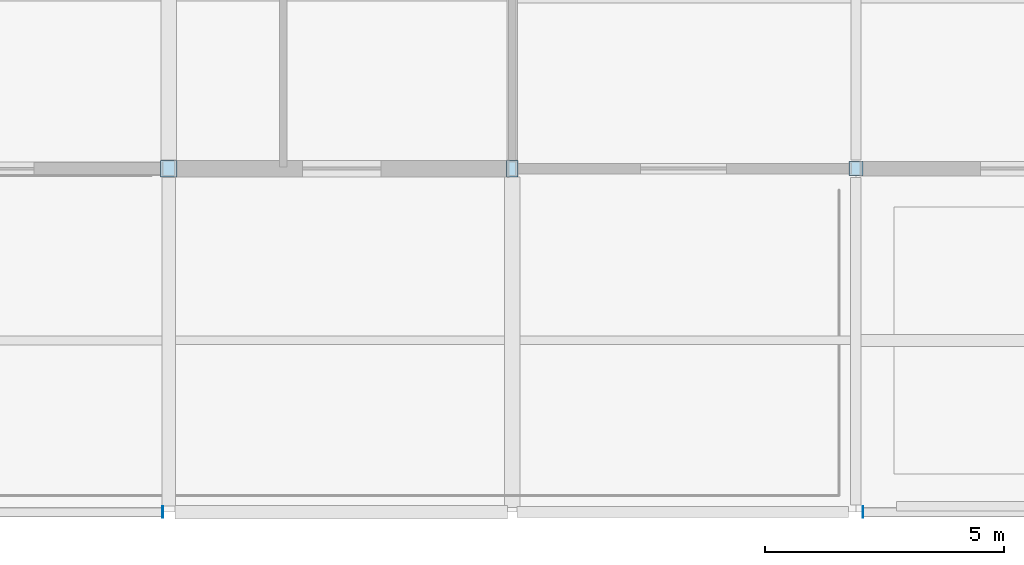
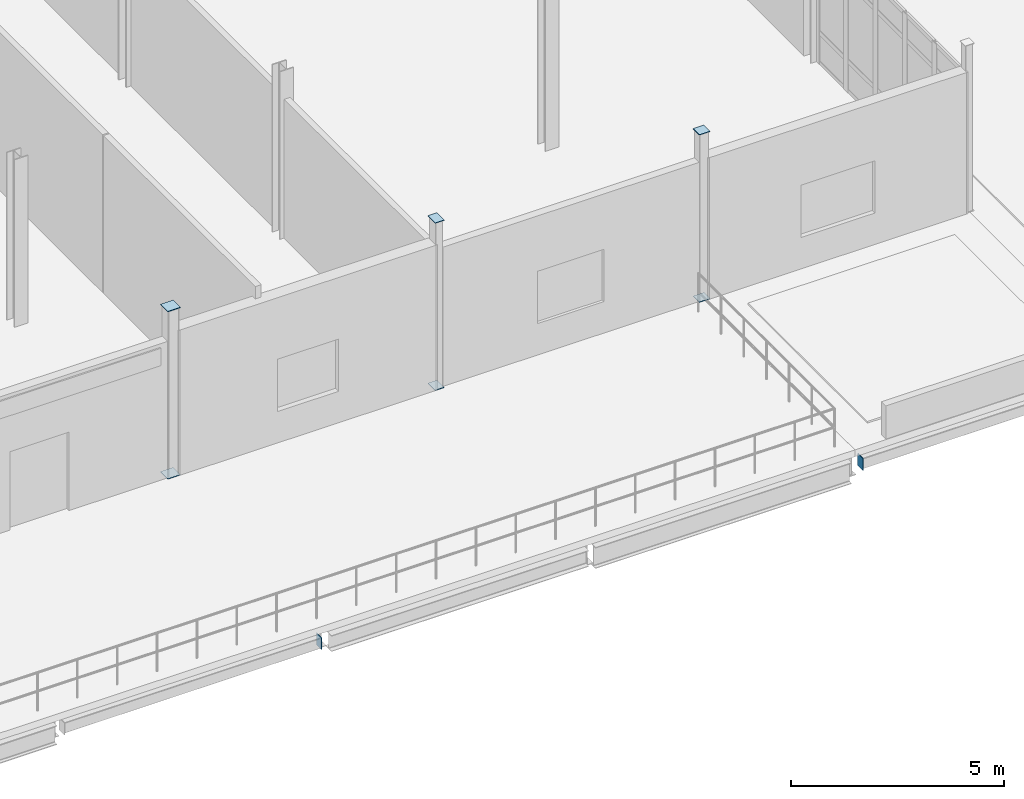
# One storey, part 153 of 186: 8 plates.
"""IFC4 building model written with IfcOpenShell, lengths in metres."""

from ifc_helpers import new_model, si_unit, direction, frame, origin, origin_2d, place, context, subcontext, project, spatial, rectangle, extrude, material, layer, layer_set, type_object, element, save


model = new_model("IFC4")

# Units and contexts
model_context = context("Model", 3, precision=1e-05, world=origin(), true_north=direction((0.0, 1.0)))
body_context = subcontext(model_context, "Body", "Model", "MODEL_VIEW")
ifc_project = project(units=[si_unit("LENGTHUNIT", "METRE"), si_unit("AREAUNIT", "SQUARE_METRE"), si_unit("VOLUMEUNIT", "CUBIC_METRE"), si_unit("PLANEANGLEUNIT", "RADIAN"), si_unit("MASSUNIT", "GRAM", prefix="KILO")], contexts=[model_context])

# Site, building, storey
site_placement = place(None, origin())
site = spatial("IfcSite", under=ifc_project, at=site_placement, CompositionType="ELEMENT")
building_placement = place(site_placement, origin())
building = spatial("IfcBuilding", under=site, at=building_placement, Name="Calvrana Isthmian Art Gallery", CompositionType="ELEMENT")
storey_placement = place(building_placement, frame((0.0, 0.0, 5.39990234375)))
storey = spatial("IfcBuildingStorey", under=building, at=storey_placement, Name="L01", CompositionType="ELEMENT", Elevation=5.39990234375)

# Plates
ifc_material = material(Name="Steel ASTM A572 Gr 50", Category="steel")
ifc_layer = layer(ifc_material, 0.01611328125, Name="Steel ASTM A572 Gr 50")
ifc_layer_set = layer_set([ifc_layer], Name="Steel ASTM A572 Gr 50")
plate_type = type_object("IfcPlateType", Name="PL-CAP-16", PredefinedType="SHEET", material=ifc_layer_set)
for number, where, z_axis, x_axis, name in (
    (1, (134.39990234375, 7.199951171875, -0.008056640625), (0.0, 0.0, 1.0), (1.0, 0.0, 0.0), "Hollow section end cap plate 307"),
    (2, (134.39990234375, 7.199951171875, 4.7919921875), (0.0, 0.0, 1.0), (1.0, 0.0, 0.0), "Hollow section end cap plate 308"),
):
    element("IfcPlate", number, at=place(storey_placement, frame(where, z_axis=z_axis, x_axis=x_axis)), inside=storey, type_object=plate_type, Name=name, PredefinedType="SHEET", context=body_context, shape_type="SweptSolid", body=[
        extrude(rectangle(XDim=0.3447265625, YDim=0.3447265625, at=origin_2d()), origin(), (0.0, 0.0, 1.0), 0.01611328125),
    ])
for number, where, z_axis, x_axis, name in (
    (3, (141.60009765625, 7.199951171875, -0.008056640625), (0.0, 0.0, 1.0), (1.0, 0.0, 0.0), "Hollow section end cap plate 321"),
    (4, (141.60009765625, 7.199951171875, 4.7919921875), (0.0, 0.0, 1.0), (1.0, 0.0, 0.0), "Hollow section end cap plate 322"),
):
    element("IfcPlate", number, at=place(storey_placement, frame(where, z_axis=z_axis, x_axis=x_axis)), inside=storey, type_object=plate_type, Name=name, PredefinedType="SHEET", context=body_context, shape_type="SweptSolid", body=[
        extrude(rectangle(XDim=0.2431640625, YDim=0.3447265625, at=origin_2d()), origin(), (0.0, 0.0, 1.0), 0.01611328125),
    ])
for number, where, z_axis, x_axis, name in (
    (5, (148.800048828125, 7.199951171875, -0.008056640625), (0.0, 0.0, 1.0), (1.0, 0.0, 0.0), "Hollow section end cap plate 335"),
    (6, (148.800048828125, 7.199951171875, 4.7919921875), (0.0, 0.0, 1.0), (1.0, 0.0, 0.0), "Hollow section end cap plate 336"),
):
    element("IfcPlate", number, at=place(storey_placement, frame(where, z_axis=z_axis, x_axis=x_axis)), inside=storey, type_object=plate_type, Name=name, PredefinedType="SHEET", context=body_context, shape_type="SweptSolid", body=[
        extrude(rectangle(XDim=0.2939453125, YDim=0.2939453125, at=origin_2d()), origin(), (0.0, 0.0, 1.0), 0.01611328125),
    ])
for number, where, z_axis, x_axis, name in (
    (7, (134.27294921875, 0.0, -0.569580078125), (0.0, 0.0, 1.0), (1.0, 0.0, 0.0), "Hollow section end cap plate 412"),
    (8, (148.952392578125, 0.0, -0.569580078125), (0.0, 0.0, 1.0), (1.0, 0.0, 0.0), "Hollow section end cap plate 413"),
):
    element("IfcPlate", number, at=place(storey_placement, frame(where, z_axis=z_axis, x_axis=x_axis)), inside=storey, type_object=plate_type, Name=name, PredefinedType="SHEET", context=body_context, shape_type="SweptSolid", body=[
        extrude(rectangle(XDim=0.01611328125, YDim=0.2431640625, at=origin_2d()), origin(), (0.0, 0.0, 1.0), 0.3447265625),
    ])

save(model, "model.ifc")
